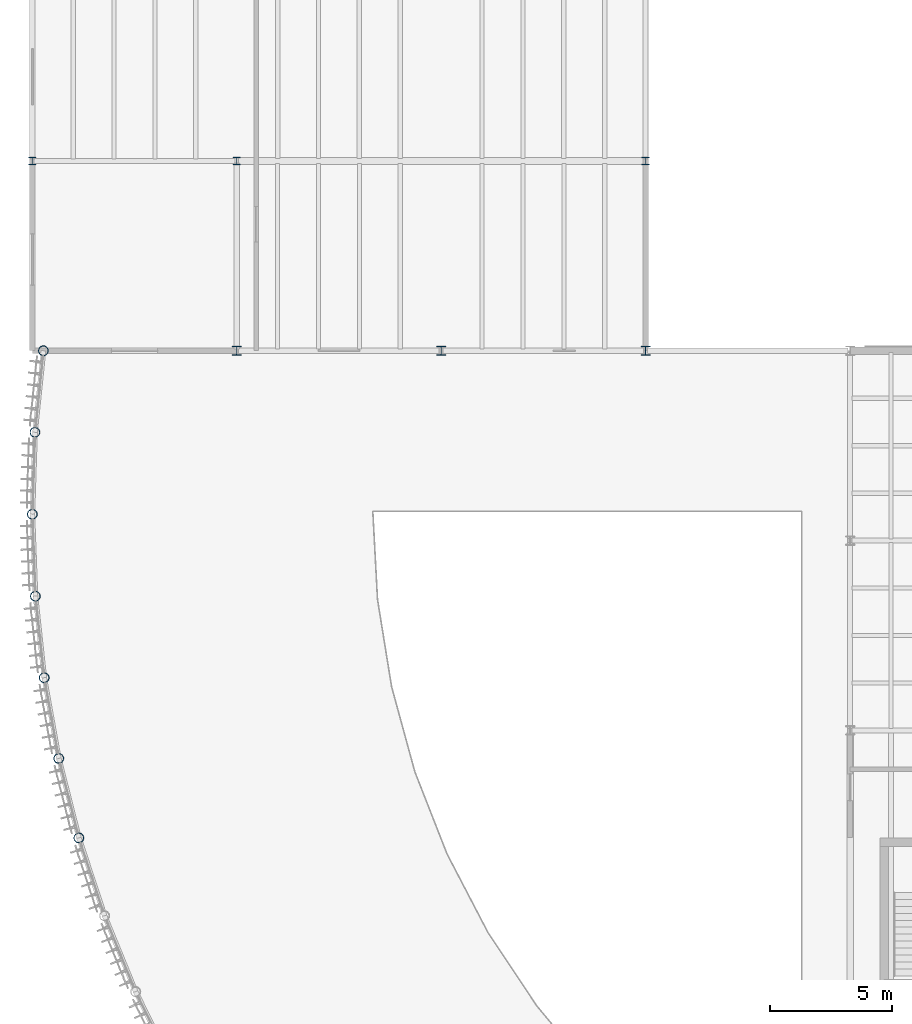
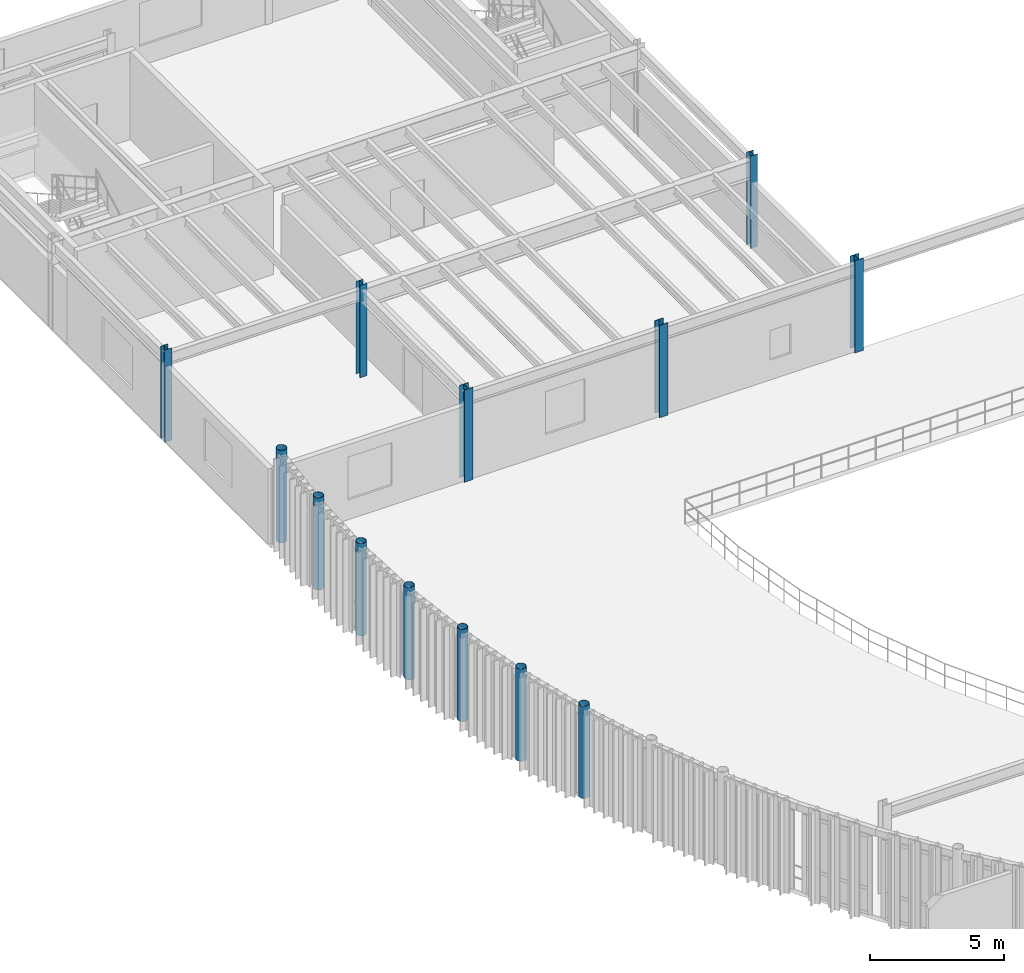
# One storey, part 3 of 54: 13 columns.
"""IFC4 building model written with IfcOpenShell, lengths in metres."""

import ifcopenshell
import ifcopenshell.guid

model = None  # the IFC model being written
_history = None  # IfcOwnerHistory: only IFC2X3 demands one
_inside = {}  # id of a spatial element -> (the spatial element, [elements in it])
_under = {}  # id of a project, library or spatial element -> (it, [spatial elements below it])
_declared = {}  # id of a project -> (the project, [libraries it declares])
_typed = {}  # id of a type object -> (the type object, [elements of that type])
_made_of = {}  # id of a material, layer set ... -> (it, [elements and type objects made of it])


def new_model(schema):
    """Start an empty IFC model of exactly this schema.

    Asked for "IFC4X3", IfcOpenShell would pick the latest addendum, in which some entities
    have other attributes; the version numbers below select the first issue.
    IFC2X3 requires an IfcOwnerHistory on every rooted entity: one is made here for all.
    """
    global model, _history
    if schema == "IFC4X3":
        model = ifcopenshell.file(schema_version=(4, 3, 0, 0))
    else:
        model = ifcopenshell.file(schema=schema)
    _inside.clear()
    _under.clear()
    _declared.clear()
    _typed.clear()
    _made_of.clear()
    _history = None
    if model.schema == "IFC2X3":
        org = make("IfcOrganization", Name="unknown")
        user = make(
            "IfcPersonAndOrganization",
            ThePerson=make("IfcPerson", FamilyName="unknown"),
            TheOrganization=org,
        )
        app = make(
            "IfcApplication",
            ApplicationDeveloper=org,
            Version="unknown",
            ApplicationFullName="unknown",
            ApplicationIdentifier="unknown",
        )
        _history = make(
            "IfcOwnerHistory",
            OwningUser=user,
            OwningApplication=app,
            ChangeAction="ADDED",
            CreationDate=0,
        )
    return model


def make(cls, **values):
    """One entity of the class cls with the attributes given. An attribute that is None is left unset."""
    return model.create_entity(
        cls, **{name: value for name, value in values.items() if value is not None}
    )


def rooted(cls, **values):
    """An entity with a GlobalId (a new one), such as an element, a storey or a relation."""
    return make(cls, GlobalId=ifcopenshell.guid.new(), OwnerHistory=_history, **values)


def si_unit(unit_type, name, prefix=None):
    """IfcSIUnit, for example si_unit("LENGTHUNIT", "METRE", prefix="MILLI")."""
    return make("IfcSIUnit", UnitType=unit_type, Prefix=prefix, Name=name)


def assignment(units):
    """IfcUnitAssignment: the units of a project."""
    return None if units is None else make("IfcUnitAssignment", Units=units)


def point(xyz):
    """IfcCartesianPoint."""
    return None if xyz is None else make("IfcCartesianPoint", Coordinates=xyz)


def direction(xyz):
    """IfcDirection."""
    return None if xyz is None else make("IfcDirection", DirectionRatios=xyz)


def frame(location, z_axis=None, x_axis=None):
    """IfcAxis2Placement3D, a coordinate frame: its origin and axes. An axis left out is left unset."""
    return make(
        "IfcAxis2Placement3D",
        Location=point(location),
        Axis=direction(z_axis),
        RefDirection=direction(x_axis),
    )


def frame_2d(location, x_axis=None):
    """IfcAxis2Placement2D, a coordinate frame in the plane: its origin and x axis."""
    return make(
        "IfcAxis2Placement2D", Location=point(location), RefDirection=direction(x_axis)
    )


def origin():
    """The frame at (0, 0, 0) with its axes left unset."""
    return frame((0.0, 0.0, 0.0))


def origin_2d():
    """The frame at (0, 0) in the plane with its x axis left unset."""
    return frame_2d((0.0, 0.0))


def place(relative_to, where):
    """IfcLocalPlacement: puts the frame where relative to a parent placement (None: the world)."""
    return make(
        "IfcLocalPlacement", PlacementRelTo=relative_to, RelativePlacement=where
    )


def context(
    kind, dimensions, precision=None, world=None, true_north=None, identifier=None
):
    """IfcGeometricRepresentationContext, for example the 3D "Model" context."""
    return make(
        "IfcGeometricRepresentationContext",
        ContextIdentifier=identifier,
        ContextType=kind,
        CoordinateSpaceDimension=dimensions,
        Precision=precision,
        WorldCoordinateSystem=world,
        TrueNorth=true_north,
    )


def subcontext(parent, identifier, kind, view, scale=None):
    """IfcGeometricRepresentationSubContext, for example "Body" below "Model"."""
    return make(
        "IfcGeometricRepresentationSubContext",
        ContextIdentifier=identifier,
        ContextType=kind,
        ParentContext=parent,
        TargetScale=scale,
        TargetView=view,
    )


def project(units=None, contexts=None):
    """IfcProject with its units and contexts."""
    return rooted(
        "IfcProject",
        Name="project",
        RepresentationContexts=contexts,
        UnitsInContext=assignment(units),
    )


def spatial(cls, under=None, at=None, **own):
    """A site, building, storey or space (cls), placed at a placement, below another one or the project."""
    s = rooted(cls, ObjectPlacement=at, **own)
    if under is not None:
        _under.setdefault(under.id(), (under, []))[1].append(s)
    return s


def profile(cls, at=None, kind="AREA", **sizes):
    """A parametric profile (cls). Its sizes go by their IFC names, for example OverallWidth=200.0."""
    return make(cls, ProfileType=kind, Position=at, **sizes)


def hollow_circle(**sizes):
    """IfcCircleHollowProfileDef."""
    return profile("IfcCircleHollowProfileDef", **sizes)


def i_section(**sizes):
    """IfcIShapeProfileDef."""
    return profile("IfcIShapeProfileDef", **sizes)


def extrude(swept, where, along, depth):
    """IfcExtrudedAreaSolid: the profile swept, set in the frame where, extruded along a direction by depth."""
    return make(
        "IfcExtrudedAreaSolid",
        SweptArea=swept,
        Position=where,
        ExtrudedDirection=direction(along),
        Depth=depth,
    )


def shape(context_of_items, identifier, shape_type, items):
    """IfcShapeRepresentation: the items that make up one representation, for example the "Body"."""
    return make(
        "IfcShapeRepresentation",
        ContextOfItems=context_of_items,
        RepresentationIdentifier=identifier,
        RepresentationType=shape_type,
        Items=items,
    )


def material(Name=None, Category=None):
    """IfcMaterial."""
    return make("IfcMaterial", Name=Name, Category=Category)


def material_profile(
    of_material, cross_section, Name=None, Category=None, Priority=None
):
    """IfcMaterialProfile: a cross section and its material."""
    return make(
        "IfcMaterialProfile",
        Name=Name,
        Material=of_material,
        Profile=cross_section,
        Priority=Priority,
        Category=Category,
    )


def profile_set(profiles, Name=None, composite=None):
    """IfcMaterialProfileSet."""
    return make(
        "IfcMaterialProfileSet",
        Name=Name,
        MaterialProfiles=profiles,
        CompositeProfile=composite,
    )


def made_of(thing, what):
    """Note that an element or type object is made of a material, layer set ...; save() writes the relation."""
    if what is not None:
        _made_of.setdefault(what.id(), (what, []))[1].append(thing)
    return thing


def type_object(cls, material=None, **own):
    """A type object (cls), such as IfcWallType, which elements share."""
    return made_of(rooted(cls, **own), material)


def element(
    cls,
    number,
    at=None,
    inside=None,
    cuts=None,
    type_object=None,
    material=None,
    context=None,
    identifier="Body",
    shape_type=None,
    held_by="IfcProductDefinitionShape",
    body=None,
    shapes=None,
    **own,
):
    """One element of the class cls, such as IfcWall. Its Tag is "e" and its number.

    at: its placement. inside: the storey or other place that contains it. cuts: it is an
    opening in that element (IfcRelVoidsElement). A single representation is given by context,
    identifier, shape_type and body (its items); several are given by shapes. held_by: the class
    of the entity that holds the representations. save() writes the other relations.
    """
    e = rooted(cls, Tag="e%d" % number, ObjectPlacement=at, **own)
    if body is not None:
        shapes = [shape(context, identifier, shape_type, body)]
    if shapes is not None:
        e.Representation = make(held_by, Representations=shapes)
    if inside is not None:
        _inside.setdefault(inside.id(), (inside, []))[1].append(e)
    if cuts is not None:
        rooted(
            "IfcRelVoidsElement", RelatingBuildingElement=cuts, RelatedOpeningElement=e
        )
    if type_object is not None:
        _typed.setdefault(type_object.id(), (type_object, []))[1].append(e)
    return made_of(e, material)


def aggregate(whole, parts):
    """IfcRelAggregates: a whole, such as a stair, and the parts it consists of."""
    return rooted("IfcRelAggregates", RelatingObject=whole, RelatedObjects=parts)


def save(model, path):
    """Write the relations noted so far, then the file.

    IfcRelAggregates (storeys below a building ...), IfcRelContainedInSpatialStructure (elements
    in a storey), IfcRelDefinesByType, IfcRelAssociatesMaterial and IfcRelDeclares: one each for
    every whole, place, type object, material and project.
    """
    for whole, parts in _under.values():
        aggregate(whole, parts)
    for where, things in _inside.values():
        rooted(
            "IfcRelContainedInSpatialStructure",
            RelatedElements=things,
            RelatingStructure=where,
        )
    for kind, things in _typed.values():
        rooted("IfcRelDefinesByType", RelatedObjects=things, RelatingType=kind)
    for what, things in _made_of.values():
        rooted("IfcRelAssociatesMaterial", RelatedObjects=things, RelatingMaterial=what)
    for by, libraries in _declared.values():
        rooted("IfcRelDeclares", RelatingContext=by, RelatedDefinitions=libraries)
    model.write(path)


model = new_model("IFC4")

# Units and contexts
model_context = context("Model", 3, precision=1e-05, world=origin(), true_north=direction((0.0, 1.0)))
body_context = subcontext(model_context, "Body", "Model", "MODEL_VIEW")
ifc_project = project(units=[si_unit("LENGTHUNIT", "METRE"), si_unit("AREAUNIT", "SQUARE_METRE"), si_unit("VOLUMEUNIT", "CUBIC_METRE"), si_unit("PLANEANGLEUNIT", "RADIAN"), si_unit("MASSUNIT", "GRAM", prefix="KILO")], contexts=[model_context])

# Site, building, storey
site_placement = place(None, origin())
site = spatial("IfcSite", under=ifc_project, at=site_placement, CompositionType="ELEMENT")
building_placement = place(site_placement, origin())
building = spatial("IfcBuilding", under=site, at=building_placement, Name="Selat Folded Stagehouse", CompositionType="ELEMENT")
storey_placement = place(building_placement, frame((0.0, 0.0, 15.0)))
storey = spatial("IfcBuildingStorey", under=building, at=storey_placement, Name="L03", CompositionType="ELEMENT", Elevation=15.0)

# Columns
ifc_material = material(Name="Steel S355", Category="steel")
ifc_material_profile_1 = material_profile(ifc_material, hollow_circle(Radius=0.203125, WallThickness=0.01611328125, at=origin_2d()), Name="CHS 406.4x16.0")
ifc_profile_set_1 = profile_set([ifc_material_profile_1], Name="Steel S355")
column_type_1 = type_object("IfcColumnType", Name="COL-CHS-406x16", PredefinedType="COLUMN", material=ifc_profile_set_1)
for number, where, z_axis, x_axis, name in (
    (1, (0.455810546875, 54.60009765625, 0.0), (0.0, 0.0, 1.0), (1.0, 0.0, 0.0), "L03 column STK-DRM-00"),
    (2, (0.110107421875, 51.248779296875, 0.0), (0.0, 0.0, 1.0), (1.0, 0.0, 0.0), "L03 column STK-DRM-01"),
    (3, (0.0, 47.881591796875, 0.0), (0.0, 0.0, 1.0), (1.0, 0.0, 0.0), "L03 column STK-DRM-02"),
    (4, (0.126708984375, 44.514892578125, 0.0), (0.0, 0.0, 1.0), (1.0, 0.0, 0.0), "L03 column STK-DRM-03"),
    (5, (0.489013671875, 41.16552734375, 0.0), (0.0, 0.0, 1.0), (1.0, 0.0, 0.0), "L03 column STK-DRM-04"),
    (6, (1.08544921875, 37.849609375, 0.0), (0.0, 0.0, 1.0), (1.0, 0.0, 0.0), "L03 column STK-DRM-05"),
    (7, (1.9130859375, 34.583984375, 0.0), (0.0, 0.0, 1.0), (1.0, 0.0, 0.0), "L03 column STK-DRM-06"),
):
    element("IfcColumn", number, at=place(storey_placement, frame(where, z_axis=z_axis, x_axis=x_axis)), inside=storey, type_object=column_type_1, Name=name, PredefinedType="COLUMN", context=body_context, shape_type="SweptSolid", body=[
        extrude(hollow_circle(Radius=0.203125, WallThickness=0.01611328125, at=origin_2d()), origin(), (0.0, 0.0, 1.0), 4.199951171875),
    ])
ifc_material_profile_2 = material_profile(ifc_material, i_section(OverallWidth=0.305419921875, OverallDepth=0.307861328125, WebThickness=0.010009765625, FlangeThickness=0.015380859375, FilletRadius=0.01513671875, at=origin_2d()), Name="UKC 305x305x97")
ifc_profile_set_2 = profile_set([ifc_material_profile_2], Name="Steel S355")
column_type_2 = type_object("IfcColumnType", Name="COL-UKC-305x305x97", PredefinedType="COLUMN", material=ifc_profile_set_2)
for number, where, z_axis, x_axis, name in (
    (8, (0.0, 62.39990234375, 0.0), (0.0, 0.0, 1.0), (1.0, 0.0, 0.0), "L03 column STK-V4-01"),
    (9, (8.39990234375, 62.39990234375, 0.0), (0.0, 0.0, 1.0), (1.0, 0.0, 0.0), "L03 column STK-V4-05"),
    (10, (25.199951171875, 62.39990234375, 0.0), (0.0, 0.0, 1.0), (1.0, 0.0, 0.0), "L03 column STK-V4-10"),
):
    element("IfcColumn", number, at=place(storey_placement, frame(where, z_axis=z_axis, x_axis=x_axis)), inside=storey, type_object=column_type_2, Name=name, PredefinedType="COLUMN", context=body_context, shape_type="SweptSolid", body=[
        extrude(i_section(OverallWidth=0.305419921875, OverallDepth=0.307861328125, WebThickness=0.010009765625, FlangeThickness=0.015380859375, FilletRadius=0.01513671875, at=origin_2d()), origin(), (0.0, 0.0, 1.0), 4.199951171875),
    ])
ifc_material_profile_3 = material_profile(ifc_material, i_section(OverallWidth=0.37255859375, OverallDepth=0.3681640625, WebThickness=0.014404296875, FlangeThickness=0.023681640625, FilletRadius=0.01513671875, at=origin_2d()), Name="UKC 356x368x177")
ifc_profile_set_3 = profile_set([ifc_material_profile_3], Name="Steel S355")
column_type_3 = type_object("IfcColumnType", Name="COL-UKC-356x368x177", PredefinedType="COLUMN", material=ifc_profile_set_3)
for number, where, z_axis, x_axis, name in (
    (11, (8.39990234375, 54.60009765625, 0.0), (0.0, 0.0, 1.0), (1.0, 0.0, 0.0), "L03 column STK-V2-03"),
    (12, (16.800048828125, 54.60009765625, 0.0), (0.0, 0.0, 1.0), (1.0, 0.0, 0.0), "L03 column STK-V2-04"),
    (13, (25.199951171875, 54.60009765625, 0.0), (0.0, 0.0, 1.0), (1.0, 0.0, 0.0), "L03 column STK-V2-05"),
):
    element("IfcColumn", number, at=place(storey_placement, frame(where, z_axis=z_axis, x_axis=x_axis)), inside=storey, type_object=column_type_3, Name=name, PredefinedType="COLUMN", context=body_context, shape_type="SweptSolid", body=[
        extrude(i_section(OverallWidth=0.37255859375, OverallDepth=0.3681640625, WebThickness=0.014404296875, FlangeThickness=0.023681640625, FilletRadius=0.01513671875, at=origin_2d()), origin(), (0.0, 0.0, 1.0), 4.199951171875),
    ])

save(model, "model.ifc")
